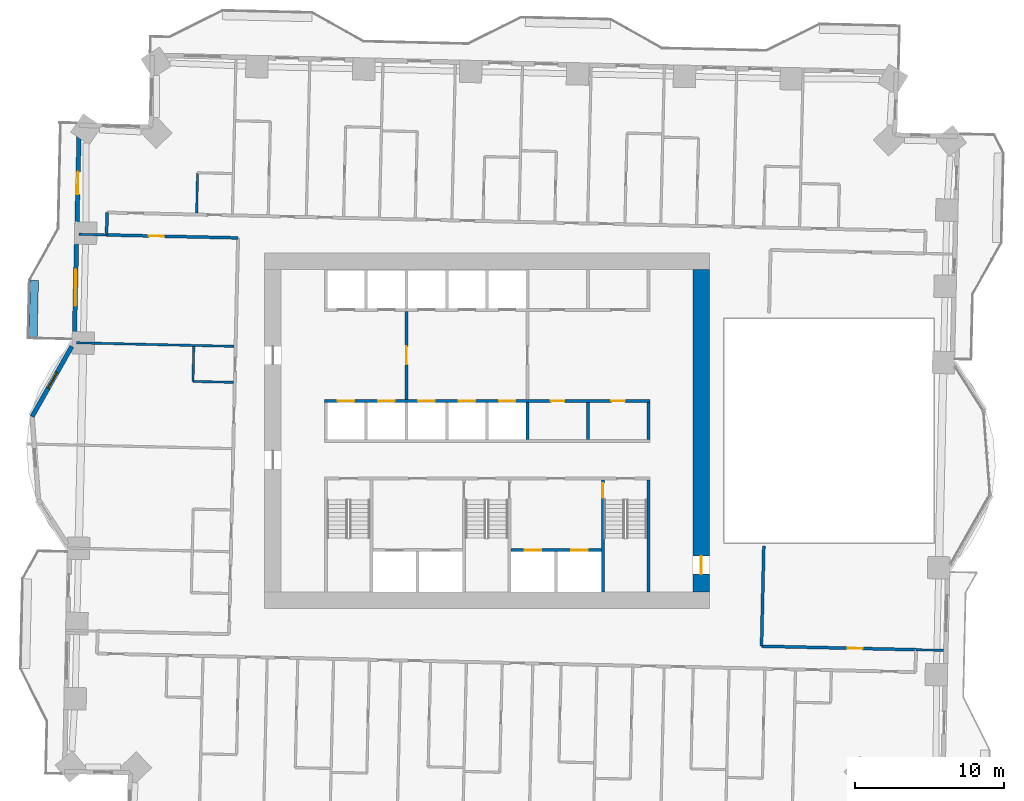
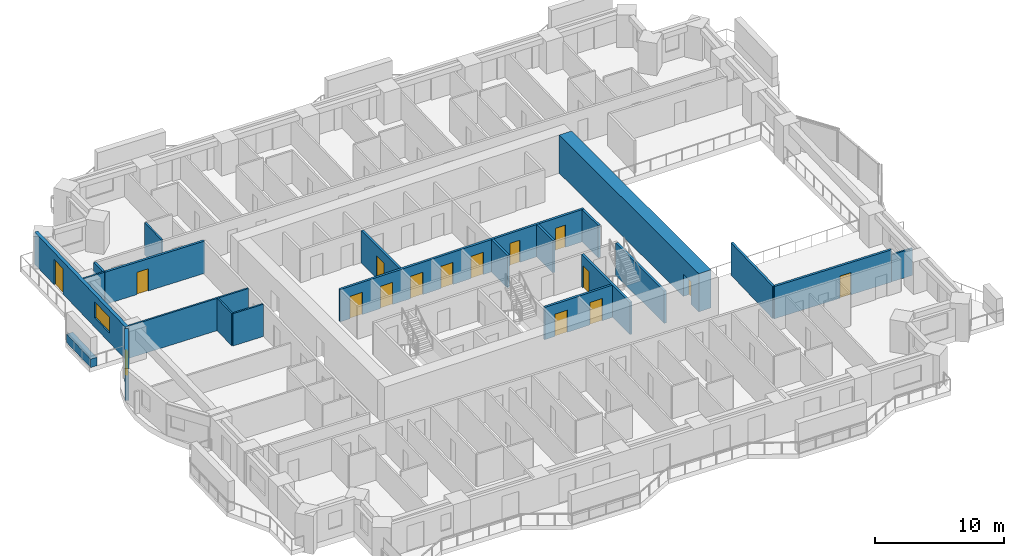
# One storey, part 10 of 18: 22 walls, 15 doors, 2 windows, 17 openings.
"""IFC4 building model written with IfcOpenShell, lengths in metres."""

from ifc_helpers import new_model, si_unit, direction, frame, frame_2d, origin, place, context, subcontext, project, spatial, rectangle, extrude, material, layer, layer_set, type_object, element, fill, save


model = new_model("IFC4")

# Units and contexts
model_context = context("Model", 3, precision=1e-05, world=origin(), true_north=direction((0.0, 1.0)))
body_context = subcontext(model_context, "Body", "Model", "MODEL_VIEW")
ifc_project = project(units=[si_unit("LENGTHUNIT", "METRE"), si_unit("AREAUNIT", "SQUARE_METRE"), si_unit("VOLUMEUNIT", "CUBIC_METRE"), si_unit("PLANEANGLEUNIT", "RADIAN"), si_unit("MASSUNIT", "GRAM", prefix="KILO")], contexts=[model_context])

# Site, building, storey
site_placement = place(None, origin())
site = spatial("IfcSite", under=ifc_project, at=site_placement, CompositionType="ELEMENT")
building_placement = place(site_placement, origin())
building = spatial("IfcBuilding", under=site, at=building_placement, Name="Mangrove Gate Tower", CompositionType="ELEMENT")
storey_placement = place(building_placement, frame((0.0, 0.0, 56.699951171875)))
storey = spatial("IfcBuildingStorey", under=building, at=storey_placement, Name="L13", CompositionType="ELEMENT", Elevation=56.699951171875)

# Wall, opening, door
ifc_material_1 = material(Name="Concrete C32/40", Category="concrete")
ifc_layer_1 = layer(ifc_material_1, 0.199951171875)
ifc_layer_set_1 = layer_set([ifc_layer_1], Name="Core lobby wall 200 C32/40")
wall_type_1 = type_object("IfcWallType", Name="Core lobby wall 200 C32/40", PredefinedType="STANDARD", material=ifc_layer_set_1)
wall_1_placement = place(storey_placement, frame((-5.39990234375, 2.10009765625, 0.0), z_axis=(0.0, 0.0, 1.0), x_axis=(0.0, 1.0, 0.0)))
wall_1 = element("IfcWall", 1, at=wall_1_placement, inside=storey, type_object=wall_type_1, Name="WALL-L13-CORE-35", PredefinedType="STANDARD", context=body_context, shape_type="SweptSolid", body=[
    extrude(rectangle(XDim=5.89990234375, YDim=0.199951171875, at=frame_2d((2.949951171875, 0.0))), origin(), (0.0, 0.0, 1.0), 3.050048828125),
])
opening_1_placement = place(wall_1_placement, frame((2.35009765625, 0.0, 0.0)))
opening_1 = element("IfcOpeningElement", 2, at=opening_1_placement, cuts=wall_1, Name="Opening FL12", PredefinedType="OPENING", context=body_context, shape_type="SweptSolid", body=[
    extrude(rectangle(XDim=1.199951171875, YDim=2.10009765625, at=frame_2d((0.60009765625, 1.050048828125))), frame((0.0, 0.10986328125, 0.0), z_axis=(0.0, -1.0, 0.0), x_axis=(1.0, 0.0, 0.0)), (0.0, 0.0, 1.0), 0.219970703125),
])
ifc_material_2 = material(Name="Fire-rated steel door set", Category="steel")
door_type_1 = type_object("IfcDoorType", Name="Lobby door FD60 1200x2100", OperationType="SINGLE_SWING_LEFT", PredefinedType="DOOR", material=ifc_material_2)
door_1_placement = place(opening_1_placement, origin())
door_1 = element("IfcDoor", 3, at=door_1_placement, inside=storey, type_object=door_type_1, Name="Lobby door lift lobby partition", OperationType="SINGLE_SWING_LEFT", OverallHeight=2.10009765625, OverallWidth=1.199951171875, PredefinedType="DOOR", context=body_context, shape_type="SweptSolid", body=[
    extrude(rectangle(XDim=1.199951171875, YDim=2.10009765625, at=frame_2d((0.60009765625, 1.050048828125))), frame((0.0, 0.02490234375, 0.0), z_axis=(0.0, -1.0, 0.0), x_axis=(1.0, 0.0, 0.0)), (0.0, 0.0, 1.0), 0.050048828125),
])
fill(opening_1, door_1)

# Walls
ifc_material_3 = material(Name="Concrete C32/40", Category="concrete")
ifc_layer_2 = layer(ifc_material_3, 0.199951171875)
ifc_layer_set_2 = layer_set([ifc_layer_2], Name="Core room wall 200 C32/40")
wall_type_2 = type_object("IfcWallType", Name="Core room wall 200 C32/40", PredefinedType="STANDARD", material=ifc_layer_set_2)
for number, where, z_axis, x_axis, name in (
    (4, (6.75, -0.60009765625, 0.0), (0.0, 0.0, 1.0), (0.0, 1.0, 0.0), "WALL-L13-CORE-25"),
    (5, (10.800048828125, -0.60009765625, 0.0), (0.0, 0.0, 1.0), (0.0, 1.0, 0.0), "WALL-L13-CORE-26"),
):
    element("IfcWall", number, at=place(storey_placement, frame(where, z_axis=z_axis, x_axis=x_axis)), inside=storey, type_object=wall_type_2, Name=name, PredefinedType="STANDARD", context=body_context, shape_type="SweptSolid", body=[
        extrude(rectangle(XDim=2.5, YDim=0.199951171875, at=frame_2d((1.25, 0.0))), origin(), (0.0, 0.0, 1.0), 3.050048828125),
    ])

# Wall, openings, doors
ifc_material_4 = material(Name="Concrete C70/85", Category="concrete")
ifc_layer_3 = layer(ifc_material_4, 0.199951171875)
ifc_layer_set_3 = layer_set([ifc_layer_3], Name="Core shaft wall 200 C70/85")
wall_type_3 = type_object("IfcWallType", Name="Core shaft wall 200 C70/85", PredefinedType="SHEAR", material=ifc_layer_set_3)
wall_2_placement = place(storey_placement, frame((-10.89990234375, 2.0, 0.0), z_axis=(0.0, 0.0, 1.0), x_axis=(1.0, 0.0, 0.0)))
wall_2 = element("IfcWall", 6, at=wall_2_placement, inside=storey, type_object=wall_type_3, Name="WALL-L13-CORE-7", PredefinedType="SHEAR", context=body_context, shape_type="SweptSolid", body=[
    extrude(rectangle(XDim=21.7998046875, YDim=0.199951171875, at=frame_2d((10.89990234375, 0.0))), origin(), (0.0, 0.0, 1.0), 3.050048828125),
])
opening_2_placement = place(wall_2_placement, frame((0.89990234375, 0.0, 0.0)))
opening_2 = element("IfcOpeningElement", 7, at=opening_2_placement, cuts=wall_2, Name="Opening LD", PredefinedType="OPENING", context=body_context, shape_type="SweptSolid", body=[
    extrude(rectangle(XDim=1.10009765625, YDim=2.10009765625, at=frame_2d((0.550048828125, 1.050048828125))), frame((0.0, 0.10986328125, 0.0), z_axis=(0.0, -1.0, 0.0), x_axis=(1.0, 0.0, 0.0)), (0.0, 0.0, 1.0), 0.219970703125),
])
opening_3_placement = place(wall_2_placement, frame((3.60009765625, 0.0, 0.0)))
opening_3 = element("IfcOpeningElement", 8, at=opening_3_placement, cuts=wall_2, Name="Opening LD", PredefinedType="OPENING", context=body_context, shape_type="SweptSolid", body=[
    extrude(rectangle(XDim=1.10009765625, YDim=2.10009765625, at=frame_2d((0.550048828125, 1.050048828125))), frame((0.0, 0.10986328125, 0.0), z_axis=(0.0, -1.0, 0.0), x_axis=(1.0, 0.0, 0.0)), (0.0, 0.0, 1.0), 0.219970703125),
])
opening_4_placement = place(wall_2_placement, frame((6.300048828125, 0.0, 0.0)))
opening_4 = element("IfcOpeningElement", 9, at=opening_4_placement, cuts=wall_2, Name="Opening LD", PredefinedType="OPENING", context=body_context, shape_type="SweptSolid", body=[
    extrude(rectangle(XDim=1.10009765625, YDim=2.10009765625, at=frame_2d((0.550048828125, 1.050048828125))), frame((0.0, 0.10986328125, 0.0), z_axis=(0.0, -1.0, 0.0), x_axis=(1.0, 0.0, 0.0)), (0.0, 0.0, 1.0), 0.219970703125),
])
opening_5_placement = place(wall_2_placement, frame((9.0, 0.0, 0.0)))
opening_5 = element("IfcOpeningElement", 10, at=opening_5_placement, cuts=wall_2, Name="Opening LD", PredefinedType="OPENING", context=body_context, shape_type="SweptSolid", body=[
    extrude(rectangle(XDim=1.10009765625, YDim=2.10009765625, at=frame_2d((0.550048828125, 1.050048828125))), frame((0.0, 0.10986328125, 0.0), z_axis=(0.0, -1.0, 0.0), x_axis=(1.0, 0.0, 0.0)), (0.0, 0.0, 1.0), 0.219970703125),
])
opening_6_placement = place(wall_2_placement, frame((11.699951171875, 0.0, 0.0)))
opening_6 = element("IfcOpeningElement", 11, at=opening_6_placement, cuts=wall_2, Name="Opening LD", PredefinedType="OPENING", context=body_context, shape_type="SweptSolid", body=[
    extrude(rectangle(XDim=1.10009765625, YDim=2.10009765625, at=frame_2d((0.550048828125, 1.050048828125))), frame((0.0, 0.10986328125, 0.0), z_axis=(0.0, -1.0, 0.0), x_axis=(1.0, 0.0, 0.0)), (0.0, 0.0, 1.0), 0.219970703125),
])
opening_7_placement = place(wall_2_placement, frame((15.175048828125, 0.0, 0.0)))
opening_7 = element("IfcOpeningElement", 12, at=opening_7_placement, cuts=wall_2, Name="Opening KD", PredefinedType="OPENING", context=body_context, shape_type="SweptSolid", body=[
    extrude(rectangle(XDim=0.89990234375, YDim=2.10009765625, at=frame_2d((0.449951171875, 1.050048828125))), frame((0.0, 0.10986328125, 0.0), z_axis=(0.0, -1.0, 0.0), x_axis=(1.0, 0.0, 0.0)), (0.0, 0.0, 1.0), 0.219970703125),
])
opening_8_placement = place(wall_2_placement, frame((19.22509765625, 0.0, 0.0)))
opening_8 = element("IfcOpeningElement", 13, at=opening_8_placement, cuts=wall_2, Name="Opening KD", PredefinedType="OPENING", context=body_context, shape_type="SweptSolid", body=[
    extrude(rectangle(XDim=0.89990234375, YDim=2.10009765625, at=frame_2d((0.449951171875, 1.050048828125))), frame((0.0, 0.10986328125, 0.0), z_axis=(0.0, -1.0, 0.0), x_axis=(1.0, 0.0, 0.0)), (0.0, 0.0, 1.0), 0.219970703125),
])
ifc_material_5 = material(Name="Fire-rated steel door set", Category="steel")
door_type_2 = type_object("IfcDoorType", Name="Core room door FD30S 900x2100", OperationType="SINGLE_SWING_RIGHT", PredefinedType="DOOR", material=ifc_material_5)
door_2_placement = place(opening_7_placement, origin())
door_2 = element("IfcDoor", 14, at=door_2_placement, inside=storey, type_object=door_type_2, Name="Core room door Cleaner's store", OperationType="SINGLE_SWING_RIGHT", OverallHeight=2.10009765625, OverallWidth=0.89990234375, PredefinedType="DOOR", context=body_context, shape_type="SweptSolid", body=[
    extrude(rectangle(XDim=0.89990234375, YDim=2.10009765625, at=frame_2d((0.449951171875, 1.050048828125))), frame((0.0, 0.02490234375, 0.0), z_axis=(0.0, -1.0, 0.0), x_axis=(1.0, 0.0, 0.0)), (0.0, 0.0, 1.0), 0.050048828125),
])
fill(opening_7, door_2)
door_3_placement = place(opening_8_placement, origin())
door_3 = element("IfcDoor", 15, at=door_3_placement, inside=storey, type_object=door_type_2, Name="Core room door Refuse store", OperationType="SINGLE_SWING_RIGHT", OverallHeight=2.10009765625, OverallWidth=0.89990234375, PredefinedType="DOOR", context=body_context, shape_type="SweptSolid", body=[
    extrude(rectangle(XDim=0.89990234375, YDim=2.10009765625, at=frame_2d((0.449951171875, 1.050048828125))), frame((0.0, 0.02490234375, 0.0), z_axis=(0.0, -1.0, 0.0), x_axis=(1.0, 0.0, 0.0)), (0.0, 0.0, 1.0), 0.050048828125),
])
fill(opening_8, door_3)
ifc_material_6 = material(Name="Stainless steel 316", Category="steel")
door_type_3 = type_object("IfcDoorType", Name="Lift landing door 1100x2100", OperationType="SLIDING_TO_LEFT", PredefinedType="DOOR", material=ifc_material_6)
door_4_placement = place(opening_2_placement, origin())
door_4 = element("IfcDoor", 16, at=door_4_placement, inside=storey, type_object=door_type_3, Name="Landing door LD P01", OperationType="SLIDING_TO_LEFT", OverallHeight=2.10009765625, OverallWidth=1.10009765625, PredefinedType="DOOR", context=body_context, shape_type="SweptSolid", body=[
    extrude(rectangle(XDim=1.10009765625, YDim=2.10009765625, at=frame_2d((0.550048828125, 1.050048828125))), frame((0.0, 0.02490234375, 0.0), z_axis=(0.0, -1.0, 0.0), x_axis=(1.0, 0.0, 0.0)), (0.0, 0.0, 1.0), 0.050048828125),
])
fill(opening_2, door_4)
door_5_placement = place(opening_3_placement, origin())
door_5 = element("IfcDoor", 17, at=door_5_placement, inside=storey, type_object=door_type_3, Name="Landing door LD P02", OperationType="SLIDING_TO_LEFT", OverallHeight=2.10009765625, OverallWidth=1.10009765625, PredefinedType="DOOR", context=body_context, shape_type="SweptSolid", body=[
    extrude(rectangle(XDim=1.10009765625, YDim=2.10009765625, at=frame_2d((0.550048828125, 1.050048828125))), frame((0.0, 0.02490234375, 0.0), z_axis=(0.0, -1.0, 0.0), x_axis=(1.0, 0.0, 0.0)), (0.0, 0.0, 1.0), 0.050048828125),
])
fill(opening_3, door_5)
door_6_placement = place(opening_4_placement, origin())
door_6 = element("IfcDoor", 18, at=door_6_placement, inside=storey, type_object=door_type_3, Name="Landing door LD P03", OperationType="SLIDING_TO_LEFT", OverallHeight=2.10009765625, OverallWidth=1.10009765625, PredefinedType="DOOR", context=body_context, shape_type="SweptSolid", body=[
    extrude(rectangle(XDim=1.10009765625, YDim=2.10009765625, at=frame_2d((0.550048828125, 1.050048828125))), frame((0.0, 0.02490234375, 0.0), z_axis=(0.0, -1.0, 0.0), x_axis=(1.0, 0.0, 0.0)), (0.0, 0.0, 1.0), 0.050048828125),
])
fill(opening_4, door_6)
door_7_placement = place(opening_5_placement, origin())
door_7 = element("IfcDoor", 19, at=door_7_placement, inside=storey, type_object=door_type_3, Name="Landing door LD P04", OperationType="SLIDING_TO_LEFT", OverallHeight=2.10009765625, OverallWidth=1.10009765625, PredefinedType="DOOR", context=body_context, shape_type="SweptSolid", body=[
    extrude(rectangle(XDim=1.10009765625, YDim=2.10009765625, at=frame_2d((0.550048828125, 1.050048828125))), frame((0.0, 0.02490234375, 0.0), z_axis=(0.0, -1.0, 0.0), x_axis=(1.0, 0.0, 0.0)), (0.0, 0.0, 1.0), 0.050048828125),
])
fill(opening_5, door_7)
door_8_placement = place(opening_6_placement, origin())
door_8 = element("IfcDoor", 20, at=door_8_placement, inside=storey, type_object=door_type_3, Name="Landing door LD P05", OperationType="SLIDING_TO_LEFT", OverallHeight=2.10009765625, OverallWidth=1.10009765625, PredefinedType="DOOR", context=body_context, shape_type="SweptSolid", body=[
    extrude(rectangle(XDim=1.10009765625, YDim=2.10009765625, at=frame_2d((0.550048828125, 1.050048828125))), frame((0.0, 0.02490234375, 0.0), z_axis=(0.0, -1.0, 0.0), x_axis=(1.0, 0.0, 0.0)), (0.0, 0.0, 1.0), 0.050048828125),
])
fill(opening_6, door_8)

wall_3_placement = place(storey_placement, frame((1.60009765625, -8.0, 0.0), z_axis=(0.0, 0.0, 1.0), x_axis=(1.0, 0.0, 0.0)))
wall_3 = element("IfcWall", 21, at=wall_3_placement, inside=storey, type_object=wall_type_3, Name="WALL-L13-CORE-17", PredefinedType="SHEAR", context=body_context, shape_type="SweptSolid", body=[
    extrude(rectangle(XDim=6.0498046875, YDim=0.199951171875, at=frame_2d((3.02490234375, 0.0))), origin(), (0.0, 0.0, 1.0), 3.050048828125),
])
opening_9_placement = place(wall_3_placement, frame((0.91259765625, 0.0, 0.0)))
opening_9 = element("IfcOpeningElement", 22, at=opening_9_placement, cuts=wall_3, Name="Opening LD", PredefinedType="OPENING", context=body_context, shape_type="SweptSolid", body=[
    extrude(rectangle(XDim=1.10009765625, YDim=2.10009765625, at=frame_2d((0.550048828125, 1.050048828125))), frame((0.0, 0.10986328125, 0.0), z_axis=(0.0, -1.0, 0.0), x_axis=(1.0, 0.0, 0.0)), (0.0, 0.0, 1.0), 0.219970703125),
])
opening_10_placement = place(wall_3_placement, frame((4.03759765625, 0.0, 0.0)))
opening_10 = element("IfcOpeningElement", 23, at=opening_10_placement, cuts=wall_3, Name="Opening LD", PredefinedType="OPENING", context=body_context, shape_type="SweptSolid", body=[
    extrude(rectangle(XDim=1.10009765625, YDim=2.10009765625, at=frame_2d((0.550048828125, 1.050048828125))), frame((0.0, 0.10986328125, 0.0), z_axis=(0.0, -1.0, 0.0), x_axis=(1.0, 0.0, 0.0)), (0.0, 0.0, 1.0), 0.219970703125),
])
door_9_placement = place(opening_9_placement, origin())
door_9 = element("IfcDoor", 24, at=door_9_placement, inside=storey, type_object=door_type_3, Name="Landing door LD FFL1", OperationType="SLIDING_TO_LEFT", OverallHeight=2.10009765625, OverallWidth=1.10009765625, PredefinedType="DOOR", context=body_context, shape_type="SweptSolid", body=[
    extrude(rectangle(XDim=1.10009765625, YDim=2.10009765625, at=frame_2d((0.550048828125, 1.050048828125))), frame((0.0, 0.02490234375, 0.0), z_axis=(0.0, -1.0, 0.0), x_axis=(1.0, 0.0, 0.0)), (0.0, 0.0, 1.0), 0.050048828125),
])
fill(opening_9, door_9)
door_10_placement = place(opening_10_placement, origin())
door_10 = element("IfcDoor", 25, at=door_10_placement, inside=storey, type_object=door_type_3, Name="Landing door LD FFL2", OperationType="SLIDING_TO_LEFT", OverallHeight=2.10009765625, OverallWidth=1.10009765625, PredefinedType="DOOR", context=body_context, shape_type="SweptSolid", body=[
    extrude(rectangle(XDim=1.10009765625, YDim=2.10009765625, at=frame_2d((0.550048828125, 1.050048828125))), frame((0.0, 0.02490234375, 0.0), z_axis=(0.0, -1.0, 0.0), x_axis=(1.0, 0.0, 0.0)), (0.0, 0.0, 1.0), 0.050048828125),
])
fill(opening_10, door_10)

# Wall
wall_4_placement = place(storey_placement, frame((2.699951171875, -0.60009765625, 0.0), z_axis=(0.0, 0.0, 1.0), x_axis=(0.0, 1.0, 0.0)))
element("IfcWall", 26, at=wall_4_placement, inside=storey, type_object=wall_type_3, Name="WALL-L13-CORE-24", PredefinedType="SHEAR", context=body_context, shape_type="SweptSolid", body=[
    extrude(rectangle(XDim=2.5, YDim=0.199951171875, at=frame_2d((1.25, 0.0))), origin(), (0.0, 0.0, 1.0), 3.050048828125),
])

# Wall, opening, door
ifc_material_7 = material(Name="Concrete C70/85", Category="concrete")
ifc_layer_4 = layer(ifc_material_7, 0.199951171875)
ifc_layer_set_4 = layer_set([ifc_layer_4], Name="Core stair wall 200 C70/85")
wall_type_4 = type_object("IfcWallType", Name="Core stair wall 200 C70/85", PredefinedType="SHEAR", material=ifc_layer_set_4)
wall_5_placement = place(storey_placement, frame((7.75, -10.800048828125, 0.0), z_axis=(0.0, 0.0, 1.0), x_axis=(0.0, 1.0, 0.0)))
wall_5 = element("IfcWall", 27, at=wall_5_placement, inside=storey, type_object=wall_type_4, Name="WALL-L13-CORE-13", PredefinedType="SHEAR", context=body_context, shape_type="SweptSolid", body=[
    extrude(rectangle(XDim=7.5, YDim=0.199951171875, at=frame_2d((3.75, 0.0))), origin(), (0.0, 0.0, 1.0), 3.050048828125),
])
opening_11_placement = place(wall_5_placement, frame((6.300048828125, 0.0, 0.0)))
opening_11 = element("IfcOpeningElement", 28, at=opening_11_placement, cuts=wall_5, Name="Opening STD10", PredefinedType="OPENING", context=body_context, shape_type="SweptSolid", body=[
    extrude(rectangle(XDim=1.0, YDim=2.10009765625, at=frame_2d((0.5, 1.050048828125))), frame((0.0, 0.10986328125, 0.0), z_axis=(0.0, -1.0, 0.0), x_axis=(1.0, 0.0, 0.0)), (0.0, 0.0, 1.0), 0.219970703125),
])
ifc_material_8 = material(Name="Fire-rated steel door set", Category="steel")
door_type_4 = type_object("IfcDoorType", Name="Stair door FD60 1000x2100", OperationType="SINGLE_SWING_RIGHT", PredefinedType="DOOR", material=ifc_material_8)
door_11_placement = place(opening_11_placement, origin())
door_11 = element("IfcDoor", 29, at=door_11_placement, inside=storey, type_object=door_type_4, Name="Stair door Stair 3 from fire-fighting lobby", OperationType="SINGLE_SWING_RIGHT", OverallHeight=2.10009765625, OverallWidth=1.0, PredefinedType="DOOR", context=body_context, shape_type="SweptSolid", body=[
    extrude(rectangle(XDim=1.0, YDim=2.10009765625, at=frame_2d((0.5, 1.050048828125))), frame((0.0, 0.02490234375, 0.0), z_axis=(0.0, -1.0, 0.0), x_axis=(1.0, 0.0, 0.0)), (0.0, 0.0, 1.0), 0.050048828125),
])
fill(opening_11, door_11)

# Wall
wall_6_placement = place(storey_placement, frame((10.800048828125, -10.800048828125, 0.0), z_axis=(0.0, 0.0, 1.0), x_axis=(0.0, 1.0, 0.0)))
element("IfcWall", 30, at=wall_6_placement, inside=storey, type_object=wall_type_4, Name="WALL-L13-CORE-14", PredefinedType="SHEAR", context=body_context, shape_type="SweptSolid", body=[
    extrude(rectangle(XDim=7.5, YDim=0.199951171875, at=frame_2d((3.75, 0.0))), origin(), (0.0, 0.0, 1.0), 3.050048828125),
])

# Wall, opening, door
ifc_material_9 = material(Name="Concrete C70/85", Category="concrete")
ifc_layer_5 = layer(ifc_material_9, 1.10009765625)
ifc_layer_set_5 = layer_set([ifc_layer_5], Name="Core wall 1100 C70/85")
wall_type_5 = type_object("IfcWallType", Name="Core wall 1100 C70/85", PredefinedType="SHEAR", material=ifc_layer_set_5)
wall_7_placement = place(storey_placement, frame((14.35009765625, -10.800048828125, 0.0), z_axis=(0.0, 0.0, 1.0), x_axis=(0.0, 1.0, 0.0)))
wall_7 = element("IfcWall", 31, at=wall_7_placement, inside=storey, type_object=wall_type_5, Name="WALL-L13-CORE-4", PredefinedType="SHEAR", context=body_context, shape_type="SweptSolid", body=[
    extrude(rectangle(XDim=21.60009765625, YDim=1.10009765625, at=frame_2d((10.800048828125, 0.0))), origin(), (0.0, 0.0, 1.0), 3.60009765625),
])
opening_12_placement = place(wall_7_placement, frame((1.199951171875, 0.0, 0.0)))
opening_12 = element("IfcOpeningElement", 32, at=opening_12_placement, cuts=wall_7, Name="Opening CD", PredefinedType="OPENING", context=body_context, shape_type="SweptSolid", body=[
    extrude(rectangle(XDim=1.199951171875, YDim=2.10009765625, at=frame_2d((0.60009765625, 1.050048828125))), frame((0.0, 0.56005859375, 0.0), z_axis=(0.0, -1.0, 0.0), x_axis=(1.0, 0.0, 0.0)), (0.0, 0.0, 1.0), 1.1201171875),
])
ifc_material_10 = material(Name="Fire-rated steel door set", Category="steel")
door_type_5 = type_object("IfcDoorType", Name="Core ring door FD60 1200x2100", OperationType="DOUBLE_DOOR_SINGLE_SWING", PredefinedType="DOOR", material=ifc_material_10)
door_12_placement = place(opening_12_placement, origin())
door_12 = element("IfcDoor", 33, at=door_12_placement, inside=storey, type_object=door_type_5, Name="Core ring door E1", OperationType="DOUBLE_DOOR_SINGLE_SWING", OverallHeight=2.10009765625, OverallWidth=1.199951171875, PredefinedType="DOOR", context=body_context, shape_type="SweptSolid", body=[
    extrude(rectangle(XDim=1.199951171875, YDim=2.10009765625, at=frame_2d((0.60009765625, 1.050048828125))), frame((0.0, 0.02490234375, 0.0), z_axis=(0.0, -1.0, 0.0), x_axis=(1.0, 0.0, 0.0)), (0.0, 0.0, 1.0), 0.050048828125),
])
fill(opening_12, door_12)

ifc_material_11 = material(Name="Gypsum board on steel stud, EI 60", Category="steel")
ifc_layer_6 = layer(ifc_material_11, 0.199951171875)
ifc_layer_set_6 = layer_set([ifc_layer_6], Name="Corridor wall EI 60")
wall_type_6 = type_object("IfcWallType", Name="Corridor wall EI 60", PredefinedType="PARTITIONING", material=ifc_layer_set_6)
wall_8_placement = place(storey_placement, frame((18.382080078125, -14.43408203125, 0.0), z_axis=(0.0, 0.0, 1.0), x_axis=(0.999742529177, -0.022690865001, 0.0)))
wall_8 = element("IfcWall", 34, at=wall_8_placement, inside=storey, type_object=wall_type_6, Name="WALL-L13-039", PredefinedType="PARTITIONING", context=body_context, shape_type="SweptSolid", body=[
    extrude(rectangle(XDim=10.3505859375, YDim=0.199951171875, at=frame_2d((5.17529296875, 0.0))), origin(), (0.0, 0.0, 1.0), 3.050048828125),
])
opening_13_placement = place(wall_8_placement, frame((5.777099609375, 0.0, 0.0)))
opening_13 = element("IfcOpeningElement", 35, at=opening_13_placement, cuts=wall_8, Name="Opening AD", PredefinedType="OPENING", context=body_context, shape_type="SweptSolid", body=[
    extrude(rectangle(XDim=1.0, YDim=2.10009765625, at=frame_2d((0.5, 1.050048828125))), frame((0.0, 0.10986328125, 0.0), z_axis=(0.0, -1.0, 0.0), x_axis=(1.0, 0.0, 0.0)), (0.0, 0.0, 1.0), 0.219970703125),
])
ifc_material_12 = material(Name="Timber door leaf", Category="wood")
door_type_6 = type_object("IfcDoorType", Name="Amenity door 1000", OperationType="SINGLE_SWING_LEFT", PredefinedType="DOOR", material=ifc_material_12)
door_13_placement = place(opening_13_placement, origin())
door_13 = element("IfcDoor", 36, at=door_13_placement, inside=storey, type_object=door_type_6, Name="DOOR-L13-LNG-c3b", OperationType="SINGLE_SWING_LEFT", OverallHeight=2.10009765625, OverallWidth=1.0, PredefinedType="DOOR", context=body_context, shape_type="SweptSolid", body=[
    extrude(rectangle(XDim=1.0, YDim=2.10009765625, at=frame_2d((0.5, 1.050048828125))), frame((0.0, 0.02490234375, 0.0), z_axis=(0.0, -1.0, 0.0), x_axis=(1.0, 0.0, 0.0)), (0.0, 0.0, 1.0), 0.050048828125),
])
fill(opening_13, door_13)

# Walls
wall_9_placement = place(storey_placement, frame((18.384033203125, -14.43408203125, 0.0), z_axis=(0.0, 0.0, 1.0), x_axis=(0.022773383809, 0.999740652864, 0.0)))
element("IfcWall", 37, at=wall_9_placement, inside=storey, type_object=wall_type_6, Name="WALL-L13-040", PredefinedType="PARTITIONING", context=body_context, shape_type="SweptSolid", body=[
    extrude(rectangle(XDim=6.7216796875, YDim=0.199951171875, at=frame_2d((3.36083984375, 0.0))), origin(), (0.0, 0.0, 1.0), 3.050048828125),
])
wall_10_placement = place(storey_placement, frame((-25.491943359375, 13.117919921875, 0.0), z_axis=(0.0, 0.0, 1.0), x_axis=(0.022617910375, 0.999744182344, 0.0)))
element("IfcWall", 38, at=wall_10_placement, inside=storey, type_object=wall_type_6, Name="WALL-L13-052", PredefinedType="PARTITIONING", context=body_context, shape_type="SweptSolid", body=[
    extrude(rectangle(XDim=1.50048828125, YDim=0.199951171875, at=frame_2d((0.750244140625, 0.0))), origin(), (0.0, 0.0, 1.0), 3.050048828125),
])

# Wall, opening, door
wall_11_placement = place(storey_placement, frame((-25.489990234375, 13.117919921875, 0.0), z_axis=(0.0, 0.0, 1.0), x_axis=(0.999742607231, -0.02268742575, 0.0)))
wall_11 = element("IfcWall", 39, at=wall_11_placement, inside=storey, type_object=wall_type_6, Name="WALL-L13-053", PredefinedType="PARTITIONING", context=body_context, shape_type="SweptSolid", body=[
    extrude(rectangle(XDim=8.813232421875, YDim=0.199951171875, at=frame_2d((4.40673828125, 0.0))), origin(), (0.0, 0.0, 1.0), 3.050048828125),
])
opening_14_placement = place(wall_11_placement, frame((2.83203125, 0.0, 0.0)))
opening_14 = element("IfcOpeningElement", 40, at=opening_14_placement, cuts=wall_11, Name="Opening AD", PredefinedType="OPENING", context=body_context, shape_type="SweptSolid", body=[
    extrude(rectangle(XDim=1.0, YDim=2.10009765625, at=frame_2d((0.5, 1.050048828125))), frame((0.0, 0.10986328125, 0.0), z_axis=(0.0, -1.0, 0.0), x_axis=(1.0, 0.0, 0.0)), (0.0, 0.0, 1.0), 0.219970703125),
])
door_14_placement = place(opening_14_placement, origin())
door_14 = element("IfcDoor", 41, at=door_14_placement, inside=storey, type_object=door_type_6, Name="DOOR-L13-LNG-c5a", OperationType="SINGLE_SWING_LEFT", OverallHeight=2.10009765625, OverallWidth=1.0, PredefinedType="DOOR", context=body_context, shape_type="SweptSolid", body=[
    extrude(rectangle(XDim=1.0, YDim=2.10009765625, at=frame_2d((0.5, 1.050048828125))), frame((0.0, 0.02490234375, 0.0), z_axis=(0.0, -1.0, 0.0), x_axis=(1.0, 0.0, 0.0)), (0.0, 0.0, 1.0), 0.050048828125),
])
fill(opening_14, door_14)

# Wall, openings, door, window
ifc_material_13 = material(Name="Limestone", Category="masonry")
ifc_layer_7 = layer(ifc_material_13, 0.0400390625, Name="Limestone cladding")
ifc_material_14 = material(Name="Ventilated air gap")
ifc_layer_8 = layer(ifc_material_14, 0.0400390625, Name="Ventilated cavity")
ifc_material_15 = material(Name="Mineral wool insulation")
ifc_layer_9 = layer(ifc_material_15, 0.06005859375, Name="Insulation")
ifc_material_16 = material(Name="Breather membrane")
ifc_layer_10 = layer(ifc_material_16, 0.001953125, Name="Breather membrane")
ifc_material_17 = material(Name="Concrete C20/25 blockwork", Category="masonry")
ifc_layer_11 = layer(ifc_material_17, 0.14990234375, Name="Blockwork backing wall")
ifc_material_18 = material(Name="Gypsum plaster")
ifc_layer_12 = layer(ifc_material_18, 0.008056640625, Name="Internal plaster")
ifc_layer_set_7 = layer_set([ifc_layer_7, ifc_layer_8, ifc_layer_9, ifc_layer_10, ifc_layer_11, ifc_layer_12], Name="External wall 300 limestone cladding")
wall_type_7 = type_object("IfcWallType", Name="External wall 300 limestone cladding", PredefinedType="SOLIDWALL", material=ifc_layer_set_7)
wall_12_placement = place(storey_placement, frame((-27.323974609375, 20.4619140625, 0.0), z_axis=(0.0, 0.0, 1.0), x_axis=(-0.022695628174, -0.999742421057, 0.0)))
wall_12 = element("IfcWall", 42, at=wall_12_placement, inside=storey, type_object=wall_type_7, Name="WALL-L13-W8", PredefinedType="SOLIDWALL", context=body_context, shape_type="SweptSolid", body=[
    extrude(rectangle(XDim=14.629638671875, YDim=0.300048828125, at=frame_2d((7.31494140625, 0.0))), origin(), (0.0, 0.0, 1.0), 3.050048828125),
])
opening_15_placement = place(wall_12_placement, frame((3.1298828125, 0.0, 0.0)))
opening_15 = element("IfcOpeningElement", 43, at=opening_15_placement, cuts=wall_12, Name="Opening BD1", PredefinedType="OPENING", context=body_context, shape_type="SweptSolid", body=[
    extrude(rectangle(XDim=1.5, YDim=2.39990234375, at=frame_2d((0.75, 1.199951171875))), frame((0.0, 0.159912109375, 0.0), z_axis=(0.0, -1.0, 0.0), x_axis=(1.0, 0.0, 0.0)), (0.0, 0.0, 1.0), 0.320068359375),
])
opening_16_placement = place(wall_12_placement, frame((9.694091796875, 0.0, 0.89990234375)))
opening_16 = element("IfcOpeningElement", 44, at=opening_16_placement, cuts=wall_12, Name="Opening W2", PredefinedType="OPENING", context=body_context, shape_type="SweptSolid", body=[
    extrude(rectangle(XDim=2.39990234375, YDim=1.5, at=frame_2d((1.199951171875, 0.75))), frame((0.0, 0.159912109375, 0.0), z_axis=(0.0, -1.0, 0.0), x_axis=(1.0, 0.0, 0.0)), (0.0, 0.0, 1.0), 0.320068359375),
])
ifc_material_19 = material(Name="Aluminium frame with laminated clear glass", Category="aluminium")
door_type_7 = type_object("IfcDoorType", Name="Balcony sliding door 1500x2400", OperationType="SLIDING_TO_LEFT", PredefinedType="DOOR", material=ifc_material_19)
door_15_placement = place(opening_15_placement, origin())
door_15 = element("IfcDoor", 45, at=door_15_placement, inside=storey, type_object=door_type_7, Name="DOOR-L13-W8-1", OperationType="SLIDING_TO_LEFT", OverallHeight=2.39990234375, OverallWidth=1.5, PredefinedType="DOOR", context=body_context, shape_type="SweptSolid", body=[
    extrude(rectangle(XDim=1.5, YDim=2.39990234375, at=frame_2d((0.75, 1.199951171875))), frame((0.0, 0.02490234375, 0.0), z_axis=(0.0, -1.0, 0.0), x_axis=(1.0, 0.0, 0.0)), (0.0, 0.0, 1.0), 0.050048828125),
])
fill(opening_15, door_15)
ifc_material_20 = material(Name="Aluminium frame with double-glazed low-e glass", Category="aluminium")
window_type_1 = type_object("IfcWindowType", Name="Corner room window 2400x1500", PartitioningType="DOUBLE_PANEL_VERTICAL", PredefinedType="WINDOW", material=ifc_material_20)
window_1_placement = place(opening_16_placement, origin())
window_1 = element("IfcWindow", 46, at=window_1_placement, inside=storey, type_object=window_type_1, Name="WIN-L13-W8-2", OverallHeight=1.5, OverallWidth=2.39990234375, PartitioningType="DOUBLE_PANEL_VERTICAL", PredefinedType="WINDOW", context=body_context, shape_type="SweptSolid", body=[
    extrude(rectangle(XDim=2.39990234375, YDim=1.5, at=frame_2d((1.199951171875, 0.75))), frame((0.0, 0.030029296875, 0.0), z_axis=(0.0, -1.0, 0.0), x_axis=(1.0, 0.0, 0.0)), (0.0, 0.0, 1.0), 0.06005859375),
])
fill(opening_16, window_1)

# Wall, opening, window
wall_13_placement = place(storey_placement, frame((-27.820068359375, 5.64990234375, 0.0), z_axis=(0.0, 0.0, 1.0), x_axis=(-0.492554919955, -0.870281363025, 0.0)))
wall_13 = element("IfcWall", 47, at=wall_13_placement, inside=storey, type_object=wall_type_7, Name="WALL-L13-W9f1", PredefinedType="SOLIDWALL", context=body_context, shape_type="SweptSolid", body=[
    extrude(rectangle(XDim=5.398193359375, YDim=0.300048828125, at=frame_2d((2.69921875, 0.0))), origin(), (0.0, 0.0, 1.0), 3.050048828125),
])
opening_17_placement = place(wall_13_placement, frame((2.008056640625, 0.0, 0.89990234375)))
opening_17 = element("IfcOpeningElement", 48, at=opening_17_placement, cuts=wall_13, Name="Opening W1", PredefinedType="OPENING", context=body_context, shape_type="SweptSolid", body=[
    extrude(rectangle(XDim=1.199951171875, YDim=1.5, at=frame_2d((0.60009765625, 0.75))), frame((0.0, 0.159912109375, 0.0), z_axis=(0.0, -1.0, 0.0), x_axis=(1.0, 0.0, 0.0)), (0.0, 0.0, 1.0), 0.320068359375),
])
ifc_material_21 = material(Name="Aluminium frame with double-glazed low-e glass", Category="aluminium")
window_type_2 = type_object("IfcWindowType", Name="Side lite 1200x1500", PartitioningType="SINGLE_PANEL", PredefinedType="WINDOW", material=ifc_material_21)
window_2_placement = place(opening_17_placement, origin())
window_2 = element("IfcWindow", 49, at=window_2_placement, inside=storey, type_object=window_type_2, Name="WIN-L13-W9f1", OverallHeight=1.5, OverallWidth=1.199951171875, PartitioningType="SINGLE_PANEL", PredefinedType="WINDOW", context=body_context, shape_type="SweptSolid", body=[
    extrude(rectangle(XDim=1.199951171875, YDim=1.5, at=frame_2d((0.60009765625, 0.75))), frame((0.0, 0.030029296875, 0.0), z_axis=(0.0, -1.0, 0.0), x_axis=(1.0, 0.0, 0.0)), (0.0, 0.0, 1.0), 0.06005859375),
])
fill(opening_17, window_2)

# Walls
ifc_material_22 = material(Name="Gypsum board on steel stud, EI 60", Category="steel")
ifc_layer_13 = layer(ifc_material_22, 0.14990234375)
ifc_layer_set_8 = layer_set([ifc_layer_13], Name="Party wall 150 EI 60")
wall_type_8 = type_object("IfcWallType", Name="Party wall 150 EI 60", PredefinedType="PARTITIONING", material=ifc_layer_set_8)
wall_14_placement = place(storey_placement, frame((28.72998046875, -14.6689453125, 0.0), z_axis=(0.0, 0.0, 1.0), x_axis=(0.999742244252, -0.022703415106, 0.0)))
element("IfcWall", 50, at=wall_14_placement, inside=storey, type_object=wall_type_8, Name="WALL-L13-041", PredefinedType="PARTITIONING", context=body_context, shape_type="SweptSolid", body=[
    extrude(rectangle(XDim=1.849609375, YDim=0.14990234375, at=frame_2d((0.9248046875, 0.0))), origin(), (0.0, 0.0, 1.0), 2.550048828125),
])
wall_15_placement = place(storey_placement, frame((-19.697998046875, 3.303955078125, 0.0), z_axis=(0.0, 0.0, 1.0), x_axis=(0.999744396973, -0.02260842146, 0.0)))
element("IfcWall", 51, at=wall_15_placement, inside=storey, type_object=wall_type_8, Name="WALL-L13-047", PredefinedType="PARTITIONING", context=body_context, shape_type="SweptSolid", body=[
    extrude(rectangle(XDim=2.69970703125, YDim=0.14990234375, at=frame_2d((1.349853515625, 0.0))), origin(), (0.0, 0.0, 1.0), 3.050048828125),
])
wall_16_placement = place(storey_placement, frame((-19.702880859375, 3.31005859375, 0.0), z_axis=(0.0, 0.0, 1.0), x_axis=(0.02279059109, 0.999740260747, 0.0)))
element("IfcWall", 52, at=wall_16_placement, inside=storey, type_object=wall_type_8, Name="WALL-L13-048", PredefinedType="PARTITIONING", context=body_context, shape_type="SweptSolid", body=[
    extrude(rectangle(XDim=2.324462890625, YDim=0.14990234375, at=frame_2d((1.162109375, 0.0))), origin(), (0.0, 0.0, 1.0), 3.050048828125),
])
wall_17_placement = place(storey_placement, frame((-27.5048828125, 5.89208984375, 0.0), z_axis=(0.0, 0.0, 1.0), x_axis=(0.999743990669, -0.022626381091, 0.0)))
element("IfcWall", 53, at=wall_17_placement, inside=storey, type_object=wall_type_8, Name="WALL-L13-049", PredefinedType="PARTITIONING", context=body_context, shape_type="SweptSolid", body=[
    extrude(rectangle(XDim=10.5634765625, YDim=0.14990234375, at=frame_2d((5.28173828125, 0.0))), origin(), (0.0, 0.0, 1.0), 3.050048828125),
])
wall_18_placement = place(storey_placement, frame((-27.340087890625, 13.159912109375, 0.0), z_axis=(0.0, 0.0, 1.0), x_axis=(0.999743599624, -0.02264365277, 0.0)))
element("IfcWall", 54, at=wall_18_placement, inside=storey, type_object=wall_type_8, Name="WALL-L13-051", PredefinedType="PARTITIONING", context=body_context, shape_type="SweptSolid", body=[
    extrude(rectangle(XDim=1.8544921875, YDim=0.14990234375, at=frame_2d((0.92724609375, 0.0))), origin(), (0.0, 0.0, 1.0), 3.050048828125),
])
wall_19_placement = place(storey_placement, frame((-19.45703125, 14.58203125, 0.0), z_axis=(0.0, 0.0, 1.0), x_axis=(0.02260842146, 0.999744396973, 0.0)))
element("IfcWall", 55, at=wall_19_placement, inside=storey, type_object=wall_type_8, Name="WALL-L13-058", PredefinedType="PARTITIONING", context=body_context, shape_type="SweptSolid", body=[
    extrude(rectangle(XDim=2.69970703125, YDim=0.14990234375, at=frame_2d((1.349853515625, 0.0))), origin(), (0.0, 0.0, 1.0), 3.050048828125),
])
ifc_material_23 = material(Name="Concrete C32/40", Category="concrete")
ifc_layer_14 = layer(ifc_material_23, 0.199951171875, Name="Planter trough wall")
ifc_material_24 = material(Name="Bituminous waterproofing membrane")
ifc_layer_15 = layer(ifc_material_24, 0.0048828125, Name="Waterproofing")
ifc_material_25 = material(Name="Drainage board and gravel")
ifc_layer_16 = layer(ifc_material_25, 0.044921875, Name="Drainage layer")
ifc_material_26 = material(Name="Planting soil")
ifc_layer_17 = layer(ifc_material_26, 0.300048828125, Name="Growing medium")
ifc_layer_set_9 = layer_set([ifc_layer_14, ifc_layer_15, ifc_layer_16, ifc_layer_17], Name="Planter wall 550 C32/40")
wall_type_9 = type_object("IfcWallType", Name="Planter wall 550 C32/40", PredefinedType="USERDEFINED", material=ifc_layer_set_9)
wall_20_placement = place(storey_placement, frame((-30.4130859375, 6.2041015625, 0.0), z_axis=(0.0, 0.0, 1.0), x_axis=(0.022745736617, 0.999741282265, 0.0)))
element("IfcWall", 56, at=wall_20_placement, inside=storey, type_object=wall_type_9, Name="PLANTER L13 W0.1", ObjectType="PLANTER", PredefinedType="USERDEFINED", context=body_context, shape_type="SweptSolid", body=[
    extrude(rectangle(XDim=3.874755859375, YDim=0.550048828125, at=frame_2d((1.9375, 0.0))), origin(), (0.0, 0.0, 1.0), 0.800048828125),
])

save(model, "model.ifc")
